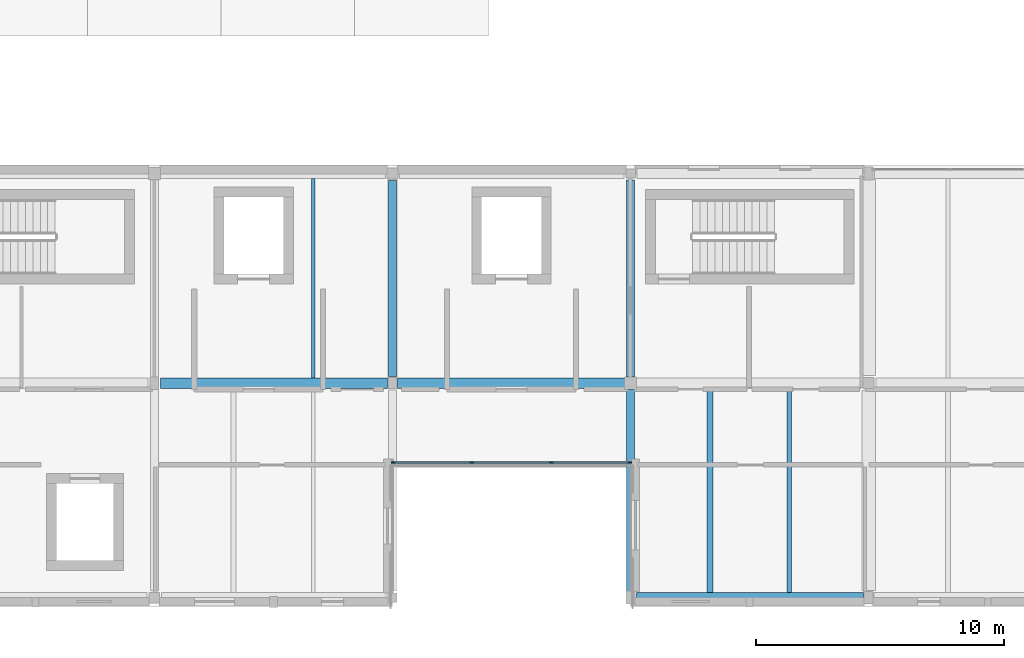
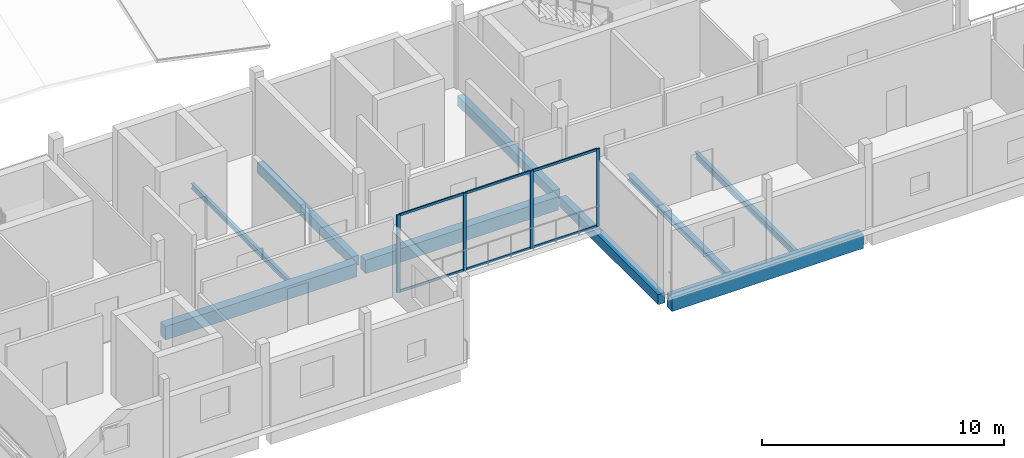
# One storey, part 6 of 35: 10 members, 9 beams, 1 element without a shape of its own.
"""IFC4 building model written with IfcOpenShell, lengths in metres."""

from ifc_helpers import new_model, si_unit, direction, frame, origin, origin_2d, place, context, subcontext, project, spatial, rectangle, i_section, extrude, material, layer, layer_set, material_profile, profile_set, type_object, element, aggregate, save


model = new_model("IFC4")

# Units and contexts
model_context = context("Model", 3, precision=1e-05, world=origin(), true_north=direction((0.0, 1.0)))
body_context = subcontext(model_context, "Body", "Model", "MODEL_VIEW")
ifc_project = project(units=[si_unit("LENGTHUNIT", "METRE"), si_unit("AREAUNIT", "SQUARE_METRE"), si_unit("VOLUMEUNIT", "CUBIC_METRE"), si_unit("PLANEANGLEUNIT", "RADIAN"), si_unit("MASSUNIT", "GRAM", prefix="KILO")], contexts=[model_context])

# Site, building, storey
site_placement = place(None, origin())
site = spatial("IfcSite", under=ifc_project, at=site_placement, CompositionType="ELEMENT")
building_placement = place(site_placement, origin())
building = spatial("IfcBuilding", under=site, at=building_placement, Name="Birchvale Park Specialist Clinic", CompositionType="ELEMENT")
storey_placement = place(building_placement, frame((0.0, 0.0, 13.800048828125)))
storey = spatial("IfcBuildingStorey", under=building, at=storey_placement, Name="L03", CompositionType="ELEMENT", Elevation=13.800048828125)

# Beams
ifc_material_1 = material(Name="Concrete C40/50", Category="concrete")
ifc_material_profile_1 = material_profile(ifc_material_1, rectangle(XDim=0.419921875, YDim=0.719970703125, at=origin_2d()), Name="RCB-420x720")
ifc_profile_set_1 = profile_set([ifc_material_profile_1], Name="Concrete C40/50")
beam_type_1 = type_object("IfcBeamType", Name="BM-EXT-BG3", PredefinedType="BEAM", material=ifc_profile_set_1)
beam_1_placement = place(storey_placement, frame((90.43994140625, 17.14990234375, -0.64013671875), z_axis=(1.0, 0.0, 0.0), x_axis=(0.0, 1.0, 0.0)))
element("IfcBeam", 1, at=beam_1_placement, inside=storey, type_object=beam_type_1, Name="V4 L03 X girder 3", PredefinedType="BEAM", context=body_context, shape_type="SweptSolid", body=[
    extrude(rectangle(XDim=0.419921875, YDim=0.719970703125, at=origin_2d()), origin(), (0.0, 0.0, 1.0), 9.150146484375),
])
ifc_material_profile_2 = material_profile(ifc_material_1, rectangle(XDim=0.419921875, YDim=0.679931640625, at=origin_2d()), Name="RCB-420x680")
ifc_profile_set_2 = profile_set([ifc_material_profile_2], Name="Concrete C40/50")
beam_type_2 = type_object("IfcBeamType", Name="BM-INT-BG3", PredefinedType="BEAM", material=ifc_profile_set_2)
beam_2_placement = place(storey_placement, frame((71.25, 25.800048828125, -0.6201171875), z_axis=(1.0, 0.0, 0.0), x_axis=(0.0, 1.0, 0.0)))
element("IfcBeam", 2, at=beam_2_placement, inside=storey, type_object=beam_type_2, Name="V4 L03 X girder 7", PredefinedType="BEAM", context=body_context, shape_type="SweptSolid", body=[
    extrude(rectangle(XDim=0.419921875, YDim=0.679931640625, at=origin_2d()), origin(), (0.0, 0.0, 1.0), 9.14990234375),
])
beam_3_placement = place(storey_placement, frame((80.800048828125, 25.800048828125, -0.6201171875), z_axis=(1.0, 0.0, 0.0), x_axis=(0.0, 1.0, 0.0)))
element("IfcBeam", 3, at=beam_3_placement, inside=storey, type_object=beam_type_2, Name="V4 L03 X girder 8", PredefinedType="BEAM", context=body_context, shape_type="SweptSolid", body=[
    extrude(rectangle(XDim=0.419921875, YDim=0.679931640625, at=origin_2d()), origin(), (0.0, 0.0, 1.0), 9.224853515625),
])
ifc_material_profile_3 = material_profile(ifc_material_1, rectangle(XDim=0.320068359375, YDim=0.5, at=origin_2d()), Name="RCB-320x500")
ifc_profile_set_3 = profile_set([ifc_material_profile_3], Name="Concrete C40/50")
beam_type_3 = type_object("IfcBeamType", Name="BM-INT-BG7", PredefinedType="BEAM", material=ifc_profile_set_3)
beam_4_placement = place(storey_placement, frame((80.60009765625, 26.074951171875, -0.530029296875), z_axis=(0.0, 1.0, 0.0), x_axis=(-1.0, 0.0, 0.0)))
element("IfcBeam", 4, at=beam_4_placement, inside=storey, type_object=beam_type_3, Name="V4 L03 Y girder 23", PredefinedType="BEAM", context=body_context, shape_type="SweptSolid", body=[
    extrude(rectangle(XDim=0.320068359375, YDim=0.5, at=origin_2d()), origin(), (0.0, 0.0, 1.0), 7.885009765625),
])
beam_5_placement = place(storey_placement, frame((90.199951171875, 17.389892578125, -0.530029296875), z_axis=(0.0, 1.0, 0.0), x_axis=(-1.0, 0.0, 0.0)))
element("IfcBeam", 5, at=beam_5_placement, inside=storey, type_object=beam_type_3, Name="V4 L03 Y girder 24", PredefinedType="BEAM", context=body_context, shape_type="SweptSolid", body=[
    extrude(rectangle(XDim=0.320068359375, YDim=0.5, at=origin_2d()), origin(), (0.0, 0.0, 1.0), 8.16015625),
])
beam_6_placement = place(storey_placement, frame((90.199951171875, 26.050048828125, -0.530029296875), z_axis=(0.0, 1.0, 0.0), x_axis=(-1.0, 0.0, 0.0)))
element("IfcBeam", 6, at=beam_6_placement, inside=storey, type_object=beam_type_3, Name="V4 L03 Y girder 25", PredefinedType="BEAM", context=body_context, shape_type="SweptSolid", body=[
    extrude(rectangle(XDim=0.320068359375, YDim=0.5, at=origin_2d()), origin(), (0.0, 0.0, 1.0), 7.93505859375),
])

# Curtain wall, members
ifc_material_2 = material(Name="Thermally broken anodised aluminium", Category="aluminium")
ifc_layer = layer(ifc_material_2, 0.179931640625)
ifc_layer_set = layer_set([ifc_layer], Name="Thermally broken anodised aluminium")
curtain_wall_type = type_object("IfcCurtainWallType", Name="CW-U1", PredefinedType="USERDEFINED", material=ifc_layer_set)
curtain_wall_placement = place(storey_placement, origin())
curtain_wall = element("IfcCurtainWall", 7, at=curtain_wall_placement, inside=storey, type_object=curtain_wall_type, Name="V4 L03 glazed curtain wall 122", ObjectType="UNITISED", PredefinedType="USERDEFINED")
ifc_material_profile_4 = material_profile(ifc_material_2, rectangle(XDim=0.06005859375, YDim=0.159912109375, at=origin_2d()), Name="CWM-60x160")
ifc_profile_set_4 = profile_set([ifc_material_profile_4], Name="Thermally broken anodised aluminium")
member_type_1 = type_object("IfcMemberType", Name="CWM1", PredefinedType="MULLION", material=ifc_profile_set_4)
member_1_placement = place(storey_placement, frame((80.6298828125, 22.590087890625, 0.0), z_axis=(0.0, 0.0, 1.0), x_axis=(0.0, 1.0, 0.0)))
member_1 = element("IfcMember", 8, at=member_1_placement, type_object=member_type_1, Name="CW mullion 1", PredefinedType="MULLION", context=body_context, shape_type="SweptSolid", body=[
    extrude(rectangle(XDim=0.06005859375, YDim=0.159912109375, at=origin_2d()), origin(), (0.0, 0.0, 1.0), 3.919921875),
])
member_2_placement = place(storey_placement, frame((83.800048828125, 22.590087890625, 0.0), z_axis=(0.0, 0.0, 1.0), x_axis=(0.0, 1.0, 0.0)))
member_2 = element("IfcMember", 9, at=member_2_placement, type_object=member_type_1, Name="CW mullion 2", PredefinedType="MULLION", context=body_context, shape_type="SweptSolid", body=[
    extrude(rectangle(XDim=0.06005859375, YDim=0.159912109375, at=origin_2d()), origin(), (0.0, 0.0, 1.0), 3.919921875),
])
member_3_placement = place(storey_placement, frame((87.0, 22.590087890625, 0.0), z_axis=(0.0, 0.0, 1.0), x_axis=(0.0, 1.0, 0.0)))
member_3 = element("IfcMember", 10, at=member_3_placement, type_object=member_type_1, Name="CW mullion 3", PredefinedType="MULLION", context=body_context, shape_type="SweptSolid", body=[
    extrude(rectangle(XDim=0.06005859375, YDim=0.159912109375, at=origin_2d()), origin(), (0.0, 0.0, 1.0), 3.919921875),
])
member_4_placement = place(storey_placement, frame((90.169921875, 22.590087890625, 0.0), z_axis=(0.0, 0.0, 1.0), x_axis=(0.0, 1.0, 0.0)))
member_4 = element("IfcMember", 11, at=member_4_placement, type_object=member_type_1, Name="CW mullion 4", PredefinedType="MULLION", context=body_context, shape_type="SweptSolid", body=[
    extrude(rectangle(XDim=0.06005859375, YDim=0.159912109375, at=origin_2d()), origin(), (0.0, 0.0, 1.0), 3.919921875),
])
ifc_material_profile_5 = material_profile(ifc_material_2, rectangle(XDim=0.06005859375, YDim=0.1201171875, at=origin_2d()), Name="CWT-60x120")
ifc_profile_set_5 = profile_set([ifc_material_profile_5], Name="Thermally broken anodised aluminium")
member_type_2 = type_object("IfcMemberType", Name="CWT1", PredefinedType="USERDEFINED", material=ifc_profile_set_5)
member_5_placement = place(storey_placement, frame((80.659912109375, 22.590087890625, 0.030029296875), z_axis=(1.0, 0.0, 0.0), x_axis=(0.0, 1.0, 0.0)))
member_5 = element("IfcMember", 12, at=member_5_placement, type_object=member_type_2, Name="CW transom 1.1", ObjectType="TRANSOM", PredefinedType="USERDEFINED", context=body_context, shape_type="SweptSolid", body=[
    extrude(rectangle(XDim=0.06005859375, YDim=0.1201171875, at=origin_2d()), origin(), (0.0, 0.0, 1.0), 3.110107421875),
])
member_6_placement = place(storey_placement, frame((80.659912109375, 22.590087890625, 3.889892578125), z_axis=(1.0, 0.0, 0.0), x_axis=(0.0, 1.0, 0.0)))
member_6 = element("IfcMember", 13, at=member_6_placement, type_object=member_type_2, Name="CW transom 1.2", ObjectType="TRANSOM", PredefinedType="USERDEFINED", context=body_context, shape_type="SweptSolid", body=[
    extrude(rectangle(XDim=0.06005859375, YDim=0.1201171875, at=origin_2d()), origin(), (0.0, 0.0, 1.0), 3.110107421875),
])
member_7_placement = place(storey_placement, frame((83.830078125, 22.590087890625, 0.030029296875), z_axis=(1.0, 0.0, 0.0), x_axis=(0.0, 1.0, 0.0)))
member_7 = element("IfcMember", 14, at=member_7_placement, type_object=member_type_2, Name="CW transom 2.1", ObjectType="TRANSOM", PredefinedType="USERDEFINED", context=body_context, shape_type="SweptSolid", body=[
    extrude(rectangle(XDim=0.06005859375, YDim=0.1201171875, at=origin_2d()), origin(), (0.0, 0.0, 1.0), 3.139892578125),
])
member_8_placement = place(storey_placement, frame((83.830078125, 22.590087890625, 3.889892578125), z_axis=(1.0, 0.0, 0.0), x_axis=(0.0, 1.0, 0.0)))
member_8 = element("IfcMember", 15, at=member_8_placement, type_object=member_type_2, Name="CW transom 2.2", ObjectType="TRANSOM", PredefinedType="USERDEFINED", context=body_context, shape_type="SweptSolid", body=[
    extrude(rectangle(XDim=0.06005859375, YDim=0.1201171875, at=origin_2d()), origin(), (0.0, 0.0, 1.0), 3.139892578125),
])
member_9_placement = place(storey_placement, frame((87.030029296875, 22.590087890625, 0.030029296875), z_axis=(1.0, 0.0, 0.0), x_axis=(0.0, 1.0, 0.0)))
member_9 = element("IfcMember", 16, at=member_9_placement, type_object=member_type_2, Name="CW transom 3.1", ObjectType="TRANSOM", PredefinedType="USERDEFINED", context=body_context, shape_type="SweptSolid", body=[
    extrude(rectangle(XDim=0.06005859375, YDim=0.1201171875, at=origin_2d()), origin(), (0.0, 0.0, 1.0), 3.10986328125),
])
member_10_placement = place(storey_placement, frame((87.030029296875, 22.590087890625, 3.889892578125), z_axis=(1.0, 0.0, 0.0), x_axis=(0.0, 1.0, 0.0)))
member_10 = element("IfcMember", 17, at=member_10_placement, type_object=member_type_2, Name="CW transom 3.2", ObjectType="TRANSOM", PredefinedType="USERDEFINED", context=body_context, shape_type="SweptSolid", body=[
    extrude(rectangle(XDim=0.06005859375, YDim=0.1201171875, at=origin_2d()), origin(), (0.0, 0.0, 1.0), 3.10986328125),
])
aggregate(curtain_wall, [member_1, member_2, member_3, member_4, member_5, member_6, member_7, member_8, member_9, member_10])

# Beams
ifc_material_3 = material(Name="Steel ASTM A992 Grade 50", Category="steel")
ifc_material_profile_6 = material_profile(ifc_material_3, i_section(OverallWidth=0.25390625, OverallDepth=0.305908203125, WebThickness=0.0087890625, FlangeThickness=0.0146484375, at=origin_2d()), Name="W12X53")
ifc_profile_set_6 = profile_set([ifc_material_profile_6], Name="Steel ASTM A992 Grade 50")
beam_type_4 = type_object("IfcBeamType", Name="STL-INT-SJ2", PredefinedType="JOIST", material=ifc_profile_set_6)
beam_7_placement = place(storey_placement, frame((93.39990234375, 17.360107421875, -0.43310546875), z_axis=(0.0, 1.0, 0.0), x_axis=(-1.0, 0.0, 0.0)))
element("IfcBeam", 18, at=beam_7_placement, inside=storey, type_object=beam_type_4, Name="V4 L03 secondary floor joist 5", PredefinedType="JOIST", context=body_context, shape_type="SweptSolid", body=[
    extrude(i_section(OverallWidth=0.25390625, OverallDepth=0.305908203125, WebThickness=0.0087890625, FlangeThickness=0.0146484375, at=origin_2d()), origin(), (0.0, 0.0, 1.0), 8.22998046875),
])
ifc_material_profile_7 = material_profile(ifc_material_3, i_section(OverallWidth=0.1669921875, OverallDepth=0.31689453125, WebThickness=0.007568359375, FlangeThickness=0.01318359375, at=origin_2d()), Name="W12X35")
ifc_profile_set_7 = profile_set([ifc_material_profile_7], Name="Steel ASTM A992 Grade 50")
beam_type_5 = type_object("IfcBeamType", Name="STL-INT-SJ3", PredefinedType="JOIST", material=ifc_profile_set_7)
beam_8_placement = place(storey_placement, frame((96.60009765625, 17.360107421875, -0.4384765625), z_axis=(0.0, 1.0, 0.0), x_axis=(-1.0, 0.0, 0.0)))
element("IfcBeam", 19, at=beam_8_placement, inside=storey, type_object=beam_type_5, Name="V4 L03 secondary floor joist 6", PredefinedType="JOIST", context=body_context, shape_type="SweptSolid", body=[
    extrude(i_section(OverallWidth=0.1669921875, OverallDepth=0.31689453125, WebThickness=0.007568359375, FlangeThickness=0.01318359375, at=origin_2d()), origin(), (0.0, 0.0, 1.0), 8.22998046875),
])
ifc_material_profile_8 = material_profile(ifc_material_3, i_section(OverallWidth=0.14697265625, OverallDepth=0.261962890625, WebThickness=0.006591796875, FlangeThickness=0.01123046875, at=origin_2d()), Name="W10X26")
ifc_profile_set_8 = profile_set([ifc_material_profile_8], Name="Steel ASTM A992 Grade 50")
beam_type_6 = type_object("IfcBeamType", Name="STL-INT-SJ5", PredefinedType="JOIST", material=ifc_profile_set_8)
beam_9_placement = place(storey_placement, frame((77.39990234375, 26.010009765625, -0.4111328125), z_axis=(0.0, 1.0, 0.0), x_axis=(-1.0, 0.0, 0.0)))
element("IfcBeam", 20, at=beam_9_placement, inside=storey, type_object=beam_type_6, Name="V4 L03 secondary floor joist 4", PredefinedType="JOIST", context=body_context, shape_type="SweptSolid", body=[
    extrude(i_section(OverallWidth=0.14697265625, OverallDepth=0.261962890625, WebThickness=0.006591796875, FlangeThickness=0.01123046875, at=origin_2d()), origin(), (0.0, 0.0, 1.0), 8.030029296875),
])

save(model, "model.ifc")
